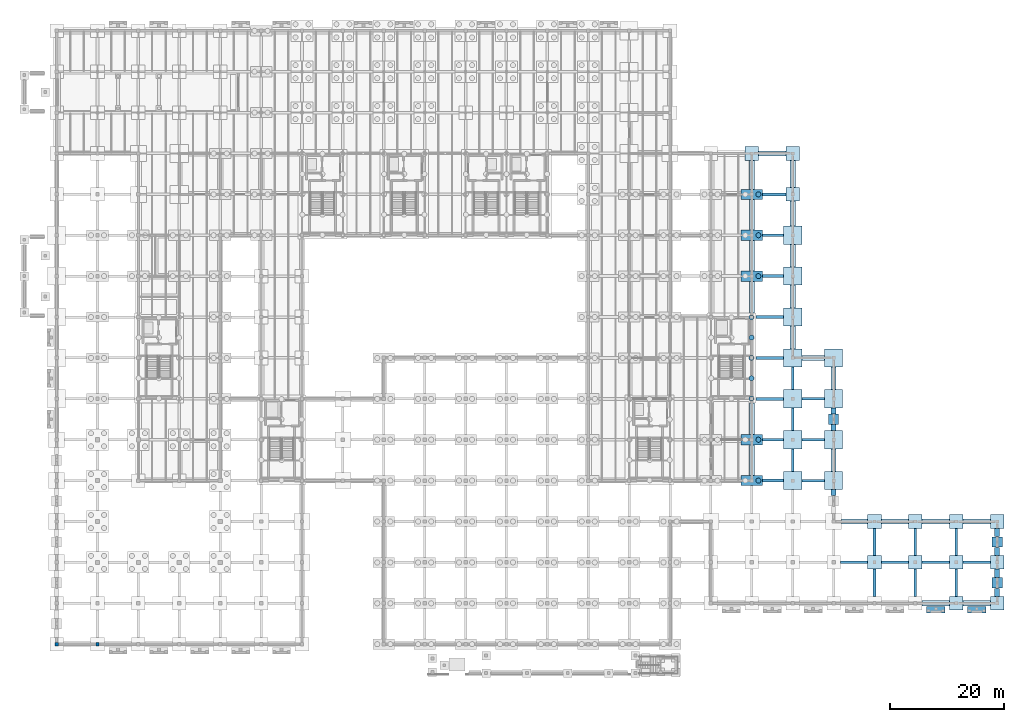
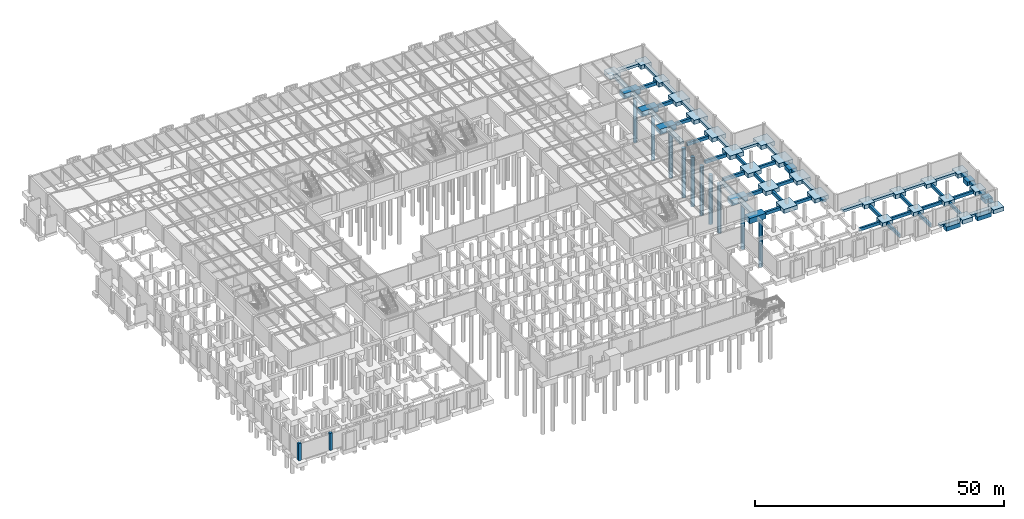
# One storey, part 10 of 46: 86 footings, 10 piles, 2 columns.
"""IFC4 building model written with IfcOpenShell, lengths in metres."""

from ifc_helpers import new_model, si_unit, direction, frame, origin, origin_2d, place, context, subcontext, project, spatial, rectangle, circle, extrude, material, material_profile, profile_set, type_object, element, save


model = new_model("IFC4")

# Units and contexts
model_context = context("Model", 3, precision=1e-05, world=origin(), true_north=direction((0.0, 1.0)))
body_context = subcontext(model_context, "Body", "Model", "MODEL_VIEW")
ifc_project = project(units=[si_unit("LENGTHUNIT", "METRE"), si_unit("AREAUNIT", "SQUARE_METRE"), si_unit("VOLUMEUNIT", "CUBIC_METRE"), si_unit("PLANEANGLEUNIT", "RADIAN"), si_unit("MASSUNIT", "GRAM", prefix="KILO")], contexts=[model_context])

# Site, building, storey
site_placement = place(None, origin())
site = spatial("IfcSite", under=ifc_project, at=site_placement, CompositionType="ELEMENT")
building_placement = place(site_placement, origin())
building = spatial("IfcBuilding", under=site, at=building_placement, Name="Sillqori Civic Hall", CompositionType="ELEMENT")
storey_placement = place(building_placement, frame((0.0, 0.0, -4.199951171875)))
storey = spatial("IfcBuildingStorey", under=building, at=storey_placement, Name="B01", CompositionType="ELEMENT", Elevation=-4.199951171875)

# Footings
ifc_material = material(Name="Concrete C35/45 (H35)", Category="concrete")
footing_type_1 = type_object("IfcFootingType", Name="FB-450X750", PredefinedType="FOOTING_BEAM", material=ifc_material)
footing_1_placement = place(storey_placement, frame((140.39990234375, 36.0, -0.969970703125), z_axis=(0.0, 0.0, 1.0), x_axis=(1.0, 0.0, 0.0)))
element("IfcFooting", 1, at=footing_1_placement, inside=storey, type_object=footing_type_1, Name="Seismic tie beam X 19-5", PredefinedType="FOOTING_BEAM", context=body_context, shape_type="SweptSolid", body=[
    extrude(rectangle(XDim=4.0, YDim=0.449951171875, at=origin_2d()), origin(), (0.0, 0.0, 1.0), 0.75),
])
footing_2_placement = place(storey_placement, frame((136.800048828125, 39.60009765625, -0.969970703125), z_axis=(0.0, 0.0, 1.0), x_axis=(1.0, 0.0, 0.0)))
element("IfcFooting", 2, at=footing_2_placement, inside=storey, type_object=footing_type_1, Name="Seismic tie beam Y 19-5", PredefinedType="FOOTING_BEAM", context=body_context, shape_type="SweptSolid", body=[
    extrude(rectangle(XDim=0.449951171875, YDim=4.0, at=origin_2d()), origin(), (0.0, 0.0, 1.0), 0.75),
])
footing_3_placement = place(storey_placement, frame((140.39990234375, 43.199951171875, -0.969970703125), z_axis=(0.0, 0.0, 1.0), x_axis=(1.0, 0.0, 0.0)))
element("IfcFooting", 3, at=footing_3_placement, inside=storey, type_object=footing_type_1, Name="Seismic tie beam X 19-6", PredefinedType="FOOTING_BEAM", context=body_context, shape_type="SweptSolid", body=[
    extrude(rectangle(XDim=4.0, YDim=0.449951171875, at=origin_2d()), origin(), (0.0, 0.0, 1.0), 0.75),
])
footing_4_placement = place(storey_placement, frame((136.800048828125, 46.800048828125, -0.969970703125), z_axis=(0.0, 0.0, 1.0), x_axis=(1.0, 0.0, 0.0)))
element("IfcFooting", 4, at=footing_4_placement, inside=storey, type_object=footing_type_1, Name="Seismic tie beam Y 19-6", PredefinedType="FOOTING_BEAM", context=body_context, shape_type="SweptSolid", body=[
    extrude(rectangle(XDim=0.449951171875, YDim=4.0, at=origin_2d()), origin(), (0.0, 0.0, 1.0), 0.75),
])
footing_5_placement = place(storey_placement, frame((140.39990234375, 50.39990234375, -0.969970703125), z_axis=(0.0, 0.0, 1.0), x_axis=(1.0, 0.0, 0.0)))
element("IfcFooting", 5, at=footing_5_placement, inside=storey, type_object=footing_type_1, Name="Seismic tie beam X 19-7", PredefinedType="FOOTING_BEAM", context=body_context, shape_type="SweptSolid", body=[
    extrude(rectangle(XDim=4.0, YDim=0.449951171875, at=origin_2d()), origin(), (0.0, 0.0, 1.0), 0.75),
])
footing_6_placement = place(storey_placement, frame((136.800048828125, 54.0, -0.969970703125), z_axis=(0.0, 0.0, 1.0), x_axis=(1.0, 0.0, 0.0)))
element("IfcFooting", 6, at=footing_6_placement, inside=storey, type_object=footing_type_1, Name="Seismic tie beam Y 19-7", PredefinedType="FOOTING_BEAM", context=body_context, shape_type="SweptSolid", body=[
    extrude(rectangle(XDim=0.449951171875, YDim=4.0, at=origin_2d()), origin(), (0.0, 0.0, 1.0), 0.75),
])
footing_7_placement = place(storey_placement, frame((147.60009765625, 21.60009765625, -0.969970703125), z_axis=(0.0, 0.0, 1.0), x_axis=(1.0, 0.0, 0.0)))
element("IfcFooting", 7, at=footing_7_placement, inside=storey, type_object=footing_type_1, Name="Seismic tie beam X 20-3", PredefinedType="FOOTING_BEAM", context=body_context, shape_type="SweptSolid", body=[
    extrude(rectangle(XDim=4.800048828125, YDim=0.449951171875, at=origin_2d()), origin(), (0.0, 0.0, 1.0), 0.75),
])
footing_8_placement = place(storey_placement, frame((151.199951171875, 18.0, -0.969970703125), z_axis=(0.0, 0.0, 1.0), x_axis=(1.0, 0.0, 0.0)))
element("IfcFooting", 8, at=footing_8_placement, inside=storey, type_object=footing_type_1, Name="Seismic tie beam Y 21-2", PredefinedType="FOOTING_BEAM", context=body_context, shape_type="SweptSolid", body=[
    extrude(rectangle(XDim=0.449951171875, YDim=4.800048828125, at=origin_2d()), origin(), (0.0, 0.0, 1.0), 0.75),
])
footing_9_placement = place(storey_placement, frame((154.800048828125, 21.60009765625, -0.969970703125), z_axis=(0.0, 0.0, 1.0), x_axis=(1.0, 0.0, 0.0)))
element("IfcFooting", 9, at=footing_9_placement, inside=storey, type_object=footing_type_1, Name="Seismic tie beam X 21-3", PredefinedType="FOOTING_BEAM", context=body_context, shape_type="SweptSolid", body=[
    extrude(rectangle(XDim=4.800048828125, YDim=0.449951171875, at=origin_2d()), origin(), (0.0, 0.0, 1.0), 0.75),
])
for number, where, z_axis, x_axis, name in (
    (10, (151.199951171875, 25.199951171875, -0.969970703125), (0.0, 0.0, 1.0), (1.0, 0.0, 0.0), "Seismic tie beam Y 21-3"),
    (11, (158.39990234375, 18.0, -0.969970703125), (0.0, 0.0, 1.0), (1.0, 0.0, 0.0), "Seismic tie beam Y 22-2"),
):
    element("IfcFooting", number, at=place(storey_placement, frame(where, z_axis=z_axis, x_axis=x_axis)), inside=storey, type_object=footing_type_1, Name=name, PredefinedType="FOOTING_BEAM", context=body_context, shape_type="SweptSolid", body=[
        extrude(rectangle(XDim=0.449951171875, YDim=4.800048828125, at=origin_2d()), origin(), (0.0, 0.0, 1.0), 0.75),
    ])
footing_10_placement = place(storey_placement, frame((162.0, 21.60009765625, -0.969970703125), z_axis=(0.0, 0.0, 1.0), x_axis=(1.0, 0.0, 0.0)))
element("IfcFooting", 12, at=footing_10_placement, inside=storey, type_object=footing_type_1, Name="Seismic tie beam X 22-3", PredefinedType="FOOTING_BEAM", context=body_context, shape_type="SweptSolid", body=[
    extrude(rectangle(XDim=4.800048828125, YDim=0.449951171875, at=origin_2d()), origin(), (0.0, 0.0, 1.0), 0.75),
])
for number, where, z_axis, x_axis, name in (
    (13, (158.39990234375, 25.199951171875, -0.969970703125), (0.0, 0.0, 1.0), (1.0, 0.0, 0.0), "Seismic tie beam Y 22-3"),
    (14, (165.60009765625, 18.0, -0.969970703125), (0.0, 0.0, 1.0), (1.0, 0.0, 0.0), "Seismic tie beam Y 23-2"),
):
    element("IfcFooting", number, at=place(storey_placement, frame(where, z_axis=z_axis, x_axis=x_axis)), inside=storey, type_object=footing_type_1, Name=name, PredefinedType="FOOTING_BEAM", context=body_context, shape_type="SweptSolid", body=[
        extrude(rectangle(XDim=0.449951171875, YDim=4.800048828125, at=origin_2d()), origin(), (0.0, 0.0, 1.0), 0.75),
    ])
footing_11_placement = place(storey_placement, frame((169.199951171875, 21.60009765625, -0.969970703125), z_axis=(0.0, 0.0, 1.0), x_axis=(1.0, 0.0, 0.0)))
element("IfcFooting", 15, at=footing_11_placement, inside=storey, type_object=footing_type_1, Name="Seismic tie beam X 23-3", PredefinedType="FOOTING_BEAM", context=body_context, shape_type="SweptSolid", body=[
    extrude(rectangle(XDim=4.800048828125, YDim=0.449951171875, at=origin_2d()), origin(), (0.0, 0.0, 1.0), 0.75),
])
footing_12_placement = place(storey_placement, frame((165.60009765625, 25.199951171875, -0.969970703125), z_axis=(0.0, 0.0, 1.0), x_axis=(1.0, 0.0, 0.0)))
element("IfcFooting", 16, at=footing_12_placement, inside=storey, type_object=footing_type_1, Name="Seismic tie beam Y 23-3", PredefinedType="FOOTING_BEAM", context=body_context, shape_type="SweptSolid", body=[
    extrude(rectangle(XDim=0.449951171875, YDim=4.800048828125, at=origin_2d()), origin(), (0.0, 0.0, 1.0), 0.75),
])
footing_type_2 = type_object("IfcFootingType", Name="FB-500X800", PredefinedType="FOOTING_BEAM", material=ifc_material)
for number, where, z_axis, x_axis, name in (
    (17, (133.35009765625, 36.0, -1.02001953125), (0.0, 0.0, 1.0), (1.0, 0.0, 0.0), "Seismic tie beam X 18-5"),
    (18, (133.35009765625, 43.199951171875, -1.02001953125), (0.0, 0.0, 1.0), (1.0, 0.0, 0.0), "Seismic tie beam X 18-6"),
):
    element("IfcFooting", number, at=place(storey_placement, frame(where, z_axis=z_axis, x_axis=x_axis)), inside=storey, type_object=footing_type_2, Name=name, PredefinedType="FOOTING_BEAM", context=body_context, shape_type="SweptSolid", body=[
        extrude(rectangle(XDim=3.699951171875, YDim=0.5, at=origin_2d()), origin(), (0.0, 0.0, 1.0), 0.800048828125),
    ])
for number, where, z_axis, x_axis, name in (
    (19, (132.75, 50.39990234375, -1.02001953125), (0.0, 0.0, 1.0), (1.0, 0.0, 0.0), "Seismic tie beam X 18-7"),
    (20, (132.75, 57.60009765625, -1.02001953125), (0.0, 0.0, 1.0), (1.0, 0.0, 0.0), "Seismic tie beam X 18-8"),
    (21, (132.75, 64.800048828125, -1.02001953125), (0.0, 0.0, 1.0), (1.0, 0.0, 0.0), "Seismic tie beam X 18-9"),
):
    element("IfcFooting", number, at=place(storey_placement, frame(where, z_axis=z_axis, x_axis=x_axis)), inside=storey, type_object=footing_type_2, Name=name, PredefinedType="FOOTING_BEAM", context=body_context, shape_type="SweptSolid", body=[
        extrude(rectangle(XDim=4.89990234375, YDim=0.5, at=origin_2d()), origin(), (0.0, 0.0, 1.0), 0.800048828125),
    ])
for number, where, z_axis, x_axis, name in (
    (22, (133.35009765625, 72.0, -1.02001953125), (0.0, 0.0, 1.0), (1.0, 0.0, 0.0), "Seismic tie beam X 18-10"),
    (23, (133.35009765625, 79.199951171875, -1.02001953125), (0.0, 0.0, 1.0), (1.0, 0.0, 0.0), "Seismic tie beam X 18-11"),
):
    element("IfcFooting", number, at=place(storey_placement, frame(where, z_axis=z_axis, x_axis=x_axis)), inside=storey, type_object=footing_type_2, Name=name, PredefinedType="FOOTING_BEAM", context=body_context, shape_type="SweptSolid", body=[
        extrude(rectangle(XDim=3.699951171875, YDim=0.5, at=origin_2d()), origin(), (0.0, 0.0, 1.0), 0.800048828125),
    ])
footing_13_placement = place(storey_placement, frame((133.550048828125, 86.39990234375, -1.02001953125), z_axis=(0.0, 0.0, 1.0), x_axis=(1.0, 0.0, 0.0)))
element("IfcFooting", 24, at=footing_13_placement, inside=storey, type_object=footing_type_2, Name="Seismic tie beam X 18-12", PredefinedType="FOOTING_BEAM", context=body_context, shape_type="SweptSolid", body=[
    extrude(rectangle(XDim=4.10009765625, YDim=0.5, at=origin_2d()), origin(), (0.0, 0.0, 1.0), 0.800048828125),
])
footing_type_3 = type_object("IfcFootingType", Name="PC-2P", PredefinedType="PILE_CAP", material=ifc_material)
for number, where, z_axis, x_axis, name in (
    (25, (129.60009765625, 36.0, -1.30029296875), (0.0, 0.0, 1.0), (1.0, 0.0, 0.0), "Pile cap 18-5"),
    (26, (129.60009765625, 43.199951171875, -1.30029296875), (0.0, 0.0, 1.0), (1.0, 0.0, 0.0), "Pile cap 18-6"),
    (27, (129.60009765625, 72.0, -1.30029296875), (0.0, 0.0, 1.0), (1.0, 0.0, 0.0), "Pile cap 18-10"),
    (28, (129.60009765625, 79.199951171875, -1.30029296875), (0.0, 0.0, 1.0), (1.0, 0.0, 0.0), "Pile cap 18-11"),
    (29, (129.60009765625, 86.39990234375, -1.30029296875), (0.0, 0.0, 1.0), (1.0, 0.0, 0.0), "Pile cap 18-12"),
):
    element("IfcFooting", number, at=place(storey_placement, frame(where, z_axis=z_axis, x_axis=x_axis)), inside=storey, type_object=footing_type_3, Name=name, PredefinedType="PILE_CAP", context=body_context, shape_type="SweptSolid", body=[
        extrude(rectangle(XDim=3.800048828125, YDim=1.800048828125, at=origin_2d()), origin(), (0.0, 0.0, 1.0), 1.300048828125),
    ])
footing_type_4 = type_object("IfcFootingType", Name="PF-1800", PredefinedType="PAD_FOOTING", material=ifc_material)
for number, where, z_axis, x_axis, name in (
    (30, (172.800048828125, 18.0, -1.0), (0.0, 0.0, 1.0), (1.0, 0.0, 0.0), "Pilaster pad footing 06"),
    (31, (172.800048828125, 25.199951171875, -1.0), (0.0, 0.0, 1.0), (1.0, 0.0, 0.0), "Pilaster pad footing 07"),
    (32, (144.0, 46.800048828125, -1.0), (0.0, 0.0, 1.0), (1.0, 0.0, 0.0), "Pilaster pad footing 09"),
):
    element("IfcFooting", number, at=place(storey_placement, frame(where, z_axis=z_axis, x_axis=x_axis)), inside=storey, type_object=footing_type_4, Name=name, PredefinedType="PAD_FOOTING", context=body_context, shape_type="SweptSolid", body=[
        extrude(rectangle(XDim=1.800048828125, YDim=1.800048828125, at=origin_2d()), origin(), (0.0, 0.0, 1.0), 1.0),
    ])
footing_type_5 = type_object("IfcFootingType", Name="PF-2400", PredefinedType="PAD_FOOTING", material=ifc_material)
for number, where, z_axis, x_axis, name in (
    (33, (129.60009765625, 93.60009765625, -1.0), (0.0, 0.0, 1.0), (1.0, 0.0, 0.0), "Spread footing 18-13"),
    (34, (136.800048828125, 86.39990234375, -1.0), (0.0, 0.0, 1.0), (1.0, 0.0, 0.0), "Spread footing 19-12"),
    (35, (136.800048828125, 93.60009765625, -1.0), (0.0, 0.0, 1.0), (1.0, 0.0, 0.0), "Spread footing 19-13"),
    (36, (151.199951171875, 21.60009765625, -1.0), (0.0, 0.0, 1.0), (1.0, 0.0, 0.0), "Spread footing 21-3"),
    (37, (151.199951171875, 28.800048828125, -1.0), (0.0, 0.0, 1.0), (1.0, 0.0, 0.0), "Spread footing 21-4"),
    (38, (158.39990234375, 21.60009765625, -1.0), (0.0, 0.0, 1.0), (1.0, 0.0, 0.0), "Spread footing 22-3"),
    (39, (158.39990234375, 28.800048828125, -1.0), (0.0, 0.0, 1.0), (1.0, 0.0, 0.0), "Spread footing 22-4"),
    (40, (165.60009765625, 14.39990234375, -1.0), (0.0, 0.0, 1.0), (1.0, 0.0, 0.0), "Spread footing 23-2"),
    (41, (165.60009765625, 21.60009765625, -1.0), (0.0, 0.0, 1.0), (1.0, 0.0, 0.0), "Spread footing 23-3"),
    (42, (165.60009765625, 28.800048828125, -1.0), (0.0, 0.0, 1.0), (1.0, 0.0, 0.0), "Spread footing 23-4"),
    (43, (172.800048828125, 14.39990234375, -1.0), (0.0, 0.0, 1.0), (1.0, 0.0, 0.0), "Spread footing 24-2"),
    (44, (172.800048828125, 21.60009765625, -1.0), (0.0, 0.0, 1.0), (1.0, 0.0, 0.0), "Spread footing 24-3"),
    (45, (172.800048828125, 28.800048828125, -1.0), (0.0, 0.0, 1.0), (1.0, 0.0, 0.0), "Spread footing 24-4"),
):
    element("IfcFooting", number, at=place(storey_placement, frame(where, z_axis=z_axis, x_axis=x_axis)), inside=storey, type_object=footing_type_5, Name=name, PredefinedType="PAD_FOOTING", context=body_context, shape_type="SweptSolid", body=[
        extrude(rectangle(XDim=2.39990234375, YDim=2.39990234375, at=origin_2d()), origin(), (0.0, 0.0, 1.0), 1.0),
    ])
footing_type_6 = type_object("IfcFootingType", Name="PF-3200", PredefinedType="PAD_FOOTING", material=ifc_material)
for number, where, z_axis, x_axis, name in (
    (46, (136.800048828125, 36.0, -1.0), (0.0, 0.0, 1.0), (1.0, 0.0, 0.0), "Spread footing 19-5"),
    (47, (136.800048828125, 43.199951171875, -1.0), (0.0, 0.0, 1.0), (1.0, 0.0, 0.0), "Spread footing 19-6"),
    (48, (136.800048828125, 50.39990234375, -1.0), (0.0, 0.0, 1.0), (1.0, 0.0, 0.0), "Spread footing 19-7"),
    (49, (136.800048828125, 57.60009765625, -1.0), (0.0, 0.0, 1.0), (1.0, 0.0, 0.0), "Spread footing 19-8"),
    (50, (136.800048828125, 64.800048828125, -1.0), (0.0, 0.0, 1.0), (1.0, 0.0, 0.0), "Spread footing 19-9"),
    (51, (136.800048828125, 72.0, -1.0), (0.0, 0.0, 1.0), (1.0, 0.0, 0.0), "Spread footing 19-10"),
    (52, (136.800048828125, 79.199951171875, -1.0), (0.0, 0.0, 1.0), (1.0, 0.0, 0.0), "Spread footing 19-11"),
    (53, (144.0, 36.0, -1.0), (0.0, 0.0, 1.0), (1.0, 0.0, 0.0), "Spread footing 20-5"),
    (54, (144.0, 43.199951171875, -1.0), (0.0, 0.0, 1.0), (1.0, 0.0, 0.0), "Spread footing 20-6"),
    (55, (144.0, 50.39990234375, -1.0), (0.0, 0.0, 1.0), (1.0, 0.0, 0.0), "Spread footing 20-7"),
    (56, (144.0, 57.60009765625, -1.0), (0.0, 0.0, 1.0), (1.0, 0.0, 0.0), "Spread footing 20-8"),
):
    element("IfcFooting", number, at=place(storey_placement, frame(where, z_axis=z_axis, x_axis=x_axis)), inside=storey, type_object=footing_type_6, Name=name, PredefinedType="PAD_FOOTING", context=body_context, shape_type="SweptSolid", body=[
        extrude(rectangle(XDim=3.199951171875, YDim=3.199951171875, at=origin_2d()), origin(), (0.0, 0.0, 1.0), 1.0),
    ])

# Piles
ifc_material_profile_1 = material_profile(ifc_material, circle(Radius=0.449951171875, at=origin_2d()), Name="BORED PILE 900")
ifc_profile_set_1 = profile_set([ifc_material_profile_1], Name="Concrete C35/45 (H35)")
pile_type = type_object("IfcPileType", Name="PILE-BORED-900", PredefinedType="BORED", material=ifc_profile_set_1)
for number, where, z_axis, x_axis, name in (
    (57, (129.550048828125, 50.449951171875, -1.199951171875), (0.0, 0.0, -1.0), (1.0, 0.0, 0.0), "Bored pile FTG-CAP-C2-11"),
    (58, (129.550048828125, 54.02490234375, -1.199951171875), (0.0, 0.0, -1.0), (1.0, 0.0, 0.0), "Bored pile FTG-CAP-C2-12"),
    (59, (129.550048828125, 57.60009765625, -1.199951171875), (0.0, 0.0, -1.0), (1.0, 0.0, 0.0), "Bored pile FTG-CAP-C2-13"),
    (60, (129.550048828125, 61.175048828125, -1.199951171875), (0.0, 0.0, -1.0), (1.0, 0.0, 0.0), "Bored pile FTG-CAP-C2-14"),
    (61, (129.550048828125, 64.75, -1.199951171875), (0.0, 0.0, -1.0), (1.0, 0.0, 0.0), "Bored pile FTG-CAP-C2-15"),
    (62, (130.75, 36.0, -1.199951171875), (0.0, 0.0, -1.0), (1.0, 0.0, 0.0), "Bored pile FTG-PC-18-05-02"),
    (63, (130.75, 43.199951171875, -1.199951171875), (0.0, 0.0, -1.0), (1.0, 0.0, 0.0), "Bored pile FTG-PC-18-06-02"),
    (64, (130.75, 72.0, -1.199951171875), (0.0, 0.0, -1.0), (1.0, 0.0, 0.0), "Bored pile FTG-PC-18-10-02"),
    (65, (130.75, 79.199951171875, -1.199951171875), (0.0, 0.0, -1.0), (1.0, 0.0, 0.0), "Bored pile FTG-PC-18-11-02"),
    (66, (130.75, 86.39990234375, -1.199951171875), (0.0, 0.0, -1.0), (1.0, 0.0, 0.0), "Bored pile FTG-PC-18-12-02"),
):
    element("IfcPile", number, at=place(storey_placement, frame(where, z_axis=z_axis, x_axis=x_axis)), inside=storey, type_object=pile_type, Name=name, PredefinedType="BORED", context=body_context, shape_type="SweptSolid", body=[
        extrude(circle(Radius=0.449951171875, at=origin_2d()), origin(), (0.0, 0.0, 1.0), 12.10009765625),
    ])

# Footings
footing_type_7 = type_object("IfcFootingType", Name="SF-1100X650", PredefinedType="STRIP_FOOTING", material=ifc_material)
for number, where, z_axis, x_axis, name in (
    (67, (162.0, 13.25, -1.0), (0.0, 0.0, 1.0), (1.0, 0.0, 0.0), "Library Archive Garden Portal stoop mat footing"),
    (68, (169.199951171875, 13.25, -1.0), (0.0, 0.0, 1.0), (1.0, 0.0, 0.0), "Library Pavilion Far East Exit stoop mat footing"),
):
    element("IfcFooting", number, at=place(storey_placement, frame(where, z_axis=z_axis, x_axis=x_axis)), inside=storey, type_object=footing_type_7, Name=name, PredefinedType="STRIP_FOOTING", context=body_context, shape_type="SweptSolid", body=[
        extrude(rectangle(XDim=3.239990234375, YDim=1.1201171875, at=origin_2d()), origin(), (0.0, 0.0, 1.0), 1.0),
    ])
footing_type_8 = type_object("IfcFootingType", Name="SF-900X600", PredefinedType="STRIP_FOOTING", material=ifc_material)
footing_14_placement = place(storey_placement, frame((129.60009765625, 39.60009765625, -0.820068359375), z_axis=(0.0, 0.0, 1.0), x_axis=(1.0, 0.0, 0.0)))
element("IfcFooting", 69, at=footing_14_placement, inside=storey, type_object=footing_type_8, Name="Perimeter strip footing E 17-5", PredefinedType="STRIP_FOOTING", context=body_context, shape_type="SweptSolid", body=[
    extrude(rectangle(XDim=0.89990234375, YDim=5.39990234375, at=origin_2d()), origin(), (0.0, 0.0, 1.0), 0.60009765625),
])
for number, where, z_axis, x_axis, name in (
    (70, (129.60009765625, 46.89990234375, -0.820068359375), (0.0, 0.0, 1.0), (1.0, 0.0, 0.0), "Perimeter strip footing E 17-6"),
    (71, (129.60009765625, 68.300048828125, -0.820068359375), (0.0, 0.0, 1.0), (1.0, 0.0, 0.0), "Perimeter strip footing E 17-9"),
):
    element("IfcFooting", number, at=place(storey_placement, frame(where, z_axis=z_axis, x_axis=x_axis)), inside=storey, type_object=footing_type_8, Name=name, PredefinedType="STRIP_FOOTING", context=body_context, shape_type="SweptSolid", body=[
        extrude(rectangle(XDim=0.89990234375, YDim=5.60009765625, at=origin_2d()), origin(), (0.0, 0.0, 1.0), 0.60009765625),
    ])
for number, where, z_axis, x_axis, name in (
    (72, (129.60009765625, 75.60009765625, -0.820068359375), (0.0, 0.0, 1.0), (1.0, 0.0, 0.0), "Perimeter strip footing E 17-10"),
    (73, (129.60009765625, 82.800048828125, -0.820068359375), (0.0, 0.0, 1.0), (1.0, 0.0, 0.0), "Perimeter strip footing E 17-11"),
):
    element("IfcFooting", number, at=place(storey_placement, frame(where, z_axis=z_axis, x_axis=x_axis)), inside=storey, type_object=footing_type_8, Name=name, PredefinedType="STRIP_FOOTING", context=body_context, shape_type="SweptSolid", body=[
        extrude(rectangle(XDim=0.89990234375, YDim=5.39990234375, at=origin_2d()), origin(), (0.0, 0.0, 1.0), 0.60009765625),
    ])
footing_15_placement = place(storey_placement, frame((129.60009765625, 89.85009765625, -0.820068359375), z_axis=(0.0, 0.0, 1.0), x_axis=(1.0, 0.0, 0.0)))
element("IfcFooting", 74, at=footing_15_placement, inside=storey, type_object=footing_type_8, Name="Perimeter strip footing E 17-12", PredefinedType="STRIP_FOOTING", context=body_context, shape_type="SweptSolid", body=[
    extrude(rectangle(XDim=0.89990234375, YDim=5.10009765625, at=origin_2d()), origin(), (0.0, 0.0, 1.0), 0.60009765625),
])
for number, where, z_axis, x_axis, name in (
    (75, (136.800048828125, 61.199951171875, -0.60009765625), (0.0, 0.0, 1.0), (1.0, 0.0, 0.0), "Podium plinth strip footing E 18-8"),
    (76, (136.800048828125, 68.39990234375, -0.60009765625), (0.0, 0.0, 1.0), (1.0, 0.0, 0.0), "Podium plinth strip footing E 18-9"),
    (77, (136.800048828125, 75.60009765625, -0.60009765625), (0.0, 0.0, 1.0), (1.0, 0.0, 0.0), "Podium plinth strip footing E 18-10"),
):
    element("IfcFooting", number, at=place(storey_placement, frame(where, z_axis=z_axis, x_axis=x_axis)), inside=storey, type_object=footing_type_8, Name=name, PredefinedType="STRIP_FOOTING", context=body_context, shape_type="SweptSolid", body=[
        extrude(rectangle(XDim=0.89990234375, YDim=4.0, at=origin_2d()), origin(), (0.0, 0.0, 1.0), 0.60009765625),
    ])
footing_16_placement = place(storey_placement, frame((136.800048828125, 83.0, -0.60009765625), z_axis=(0.0, 0.0, 1.0), x_axis=(1.0, 0.0, 0.0)))
element("IfcFooting", 78, at=footing_16_placement, inside=storey, type_object=footing_type_8, Name="Podium plinth strip footing E 18-11", PredefinedType="STRIP_FOOTING", context=body_context, shape_type="SweptSolid", body=[
    extrude(rectangle(XDim=0.89990234375, YDim=4.39990234375, at=origin_2d()), origin(), (0.0, 0.0, 1.0), 0.60009765625),
])
footing_17_placement = place(storey_placement, frame((133.199951171875, 93.60009765625, -0.60009765625), z_axis=(0.0, 0.0, 1.0), x_axis=(1.0, 0.0, 0.0)))
element("IfcFooting", 79, at=footing_17_placement, inside=storey, type_object=footing_type_8, Name="Podium plinth strip footing N 18-12", PredefinedType="STRIP_FOOTING", context=body_context, shape_type="SweptSolid", body=[
    extrude(rectangle(XDim=4.800048828125, YDim=0.89990234375, at=origin_2d()), origin(), (0.0, 0.0, 1.0), 0.60009765625),
])
footing_18_placement = place(storey_placement, frame((136.800048828125, 90.0, -0.60009765625), z_axis=(0.0, 0.0, 1.0), x_axis=(1.0, 0.0, 0.0)))
element("IfcFooting", 80, at=footing_18_placement, inside=storey, type_object=footing_type_8, Name="Podium plinth strip footing E 18-12", PredefinedType="STRIP_FOOTING", context=body_context, shape_type="SweptSolid", body=[
    extrude(rectangle(XDim=0.89990234375, YDim=4.800048828125, at=origin_2d()), origin(), (0.0, 0.0, 1.0), 0.60009765625),
])
footing_19_placement = place(storey_placement, frame((144.0, 33.8798828125, -0.60009765625), z_axis=(0.0, 0.0, 1.0), x_axis=(1.0, 0.0, 0.0)))
element("IfcFooting", 81, at=footing_19_placement, inside=storey, type_object=footing_type_8, Name="Podium plinth strip footing E 19-4.2", PredefinedType="STRIP_FOOTING", context=body_context, shape_type="SweptSolid", body=[
    extrude(rectangle(XDim=0.89990234375, YDim=1.0400390625, at=origin_2d()), origin(), (0.0, 0.0, 1.0), 0.60009765625),
])
footing_20_placement = place(storey_placement, frame((144.0, 39.60009765625, -0.60009765625), z_axis=(0.0, 0.0, 1.0), x_axis=(1.0, 0.0, 0.0)))
element("IfcFooting", 82, at=footing_20_placement, inside=storey, type_object=footing_type_8, Name="Podium plinth strip footing E 19-5", PredefinedType="STRIP_FOOTING", context=body_context, shape_type="SweptSolid", body=[
    extrude(rectangle(XDim=0.89990234375, YDim=4.0, at=origin_2d()), origin(), (0.0, 0.0, 1.0), 0.60009765625),
])
for number, where, z_axis, x_axis, name in (
    (83, (144.0, 45.320068359375, -0.60009765625), (0.0, 0.0, 1.0), (1.0, 0.0, 0.0), "Podium plinth strip footing E 19-6.1"),
    (84, (144.0, 48.280029296875, -0.60009765625), (0.0, 0.0, 1.0), (1.0, 0.0, 0.0), "Podium plinth strip footing E 19-6.2"),
):
    element("IfcFooting", number, at=place(storey_placement, frame(where, z_axis=z_axis, x_axis=x_axis)), inside=storey, type_object=footing_type_8, Name=name, PredefinedType="STRIP_FOOTING", context=body_context, shape_type="SweptSolid", body=[
        extrude(rectangle(XDim=0.89990234375, YDim=1.0400390625, at=origin_2d()), origin(), (0.0, 0.0, 1.0), 0.60009765625),
    ])
footing_21_placement = place(storey_placement, frame((140.39990234375, 57.60009765625, -0.60009765625), z_axis=(0.0, 0.0, 1.0), x_axis=(1.0, 0.0, 0.0)))
element("IfcFooting", 85, at=footing_21_placement, inside=storey, type_object=footing_type_8, Name="Podium plinth strip footing N 19-7", PredefinedType="STRIP_FOOTING", context=body_context, shape_type="SweptSolid", body=[
    extrude(rectangle(XDim=4.0, YDim=0.89990234375, at=origin_2d()), origin(), (0.0, 0.0, 1.0), 0.60009765625),
])
footing_22_placement = place(storey_placement, frame((144.0, 54.0, -0.60009765625), z_axis=(0.0, 0.0, 1.0), x_axis=(1.0, 0.0, 0.0)))
element("IfcFooting", 86, at=footing_22_placement, inside=storey, type_object=footing_type_8, Name="Podium plinth strip footing E 19-7", PredefinedType="STRIP_FOOTING", context=body_context, shape_type="SweptSolid", body=[
    extrude(rectangle(XDim=0.89990234375, YDim=4.0, at=origin_2d()), origin(), (0.0, 0.0, 1.0), 0.60009765625),
])
footing_23_placement = place(storey_placement, frame((147.699951171875, 28.800048828125, -0.60009765625), z_axis=(0.0, 0.0, 1.0), x_axis=(1.0, 0.0, 0.0)))
element("IfcFooting", 87, at=footing_23_placement, inside=storey, type_object=footing_type_8, Name="Podium plinth strip footing N 20-3", PredefinedType="STRIP_FOOTING", context=body_context, shape_type="SweptSolid", body=[
    extrude(rectangle(XDim=4.60009765625, YDim=0.89990234375, at=origin_2d()), origin(), (0.0, 0.0, 1.0), 0.60009765625),
])
for number, where, z_axis, x_axis, name in (
    (88, (154.800048828125, 28.800048828125, -0.60009765625), (0.0, 0.0, 1.0), (1.0, 0.0, 0.0), "Podium plinth strip footing N 21-3"),
    (89, (162.0, 14.39990234375, -0.60009765625), (0.0, 0.0, 1.0), (1.0, 0.0, 0.0), "Podium plinth strip footing S 22-2"),
    (90, (162.0, 28.800048828125, -0.60009765625), (0.0, 0.0, 1.0), (1.0, 0.0, 0.0), "Podium plinth strip footing N 22-3"),
    (91, (169.199951171875, 14.39990234375, -0.60009765625), (0.0, 0.0, 1.0), (1.0, 0.0, 0.0), "Podium plinth strip footing S 23-2"),
):
    element("IfcFooting", number, at=place(storey_placement, frame(where, z_axis=z_axis, x_axis=x_axis)), inside=storey, type_object=footing_type_8, Name=name, PredefinedType="STRIP_FOOTING", context=body_context, shape_type="SweptSolid", body=[
        extrude(rectangle(XDim=4.800048828125, YDim=0.89990234375, at=origin_2d()), origin(), (0.0, 0.0, 1.0), 0.60009765625),
    ])
for number, where, z_axis, x_axis, name in (
    (92, (172.800048828125, 16.320068359375, -0.60009765625), (0.0, 0.0, 1.0), (1.0, 0.0, 0.0), "Podium plinth strip footing E 23-2.1"),
    (93, (172.800048828125, 19.679931640625, -0.60009765625), (0.0, 0.0, 1.0), (1.0, 0.0, 0.0), "Podium plinth strip footing E 23-2.2"),
):
    element("IfcFooting", number, at=place(storey_placement, frame(where, z_axis=z_axis, x_axis=x_axis)), inside=storey, type_object=footing_type_8, Name=name, PredefinedType="STRIP_FOOTING", context=body_context, shape_type="SweptSolid", body=[
        extrude(rectangle(XDim=0.89990234375, YDim=1.43994140625, at=origin_2d()), origin(), (0.0, 0.0, 1.0), 0.60009765625),
    ])
footing_24_placement = place(storey_placement, frame((169.199951171875, 28.800048828125, -0.60009765625), z_axis=(0.0, 0.0, 1.0), x_axis=(1.0, 0.0, 0.0)))
element("IfcFooting", 94, at=footing_24_placement, inside=storey, type_object=footing_type_8, Name="Podium plinth strip footing N 23-3", PredefinedType="STRIP_FOOTING", context=body_context, shape_type="SweptSolid", body=[
    extrude(rectangle(XDim=4.800048828125, YDim=0.89990234375, at=origin_2d()), origin(), (0.0, 0.0, 1.0), 0.60009765625),
])
for number, where, z_axis, x_axis, name in (
    (95, (172.800048828125, 23.52001953125, -0.60009765625), (0.0, 0.0, 1.0), (1.0, 0.0, 0.0), "Podium plinth strip footing E 23-3.1"),
    (96, (172.800048828125, 26.8798828125, -0.60009765625), (0.0, 0.0, 1.0), (1.0, 0.0, 0.0), "Podium plinth strip footing E 23-3.2"),
):
    element("IfcFooting", number, at=place(storey_placement, frame(where, z_axis=z_axis, x_axis=x_axis)), inside=storey, type_object=footing_type_8, Name=name, PredefinedType="STRIP_FOOTING", context=body_context, shape_type="SweptSolid", body=[
        extrude(rectangle(XDim=0.89990234375, YDim=1.43994140625, at=origin_2d()), origin(), (0.0, 0.0, 1.0), 0.60009765625),
    ])

# Columns
ifc_material_profile_2 = material_profile(ifc_material, rectangle(XDim=0.60009765625, YDim=0.60009765625, at=origin_2d()), Name="RC 600x600")
ifc_profile_set_2 = profile_set([ifc_material_profile_2], Name="Concrete C35/45 (H35)")
column_type = type_object("IfcColumnType", Name="COL-RC600", PredefinedType="COLUMN", material=ifc_profile_set_2)
for number, where, z_axis, x_axis, name in (
    (97, (7.199951171875, 7.199951171875, 0.0), (0.0, 0.0, 1.0), (1.0, 0.0, 0.0), "B01 column 1-1"),
    (98, (14.39990234375, 7.199951171875, 0.0), (0.0, 0.0, 1.0), (1.0, 0.0, 0.0), "B01 column 2-1"),
):
    element("IfcColumn", number, at=place(storey_placement, frame(where, z_axis=z_axis, x_axis=x_axis)), inside=storey, type_object=column_type, Name=name, PredefinedType="COLUMN", context=body_context, shape_type="SweptSolid", body=[
        extrude(rectangle(XDim=0.60009765625, YDim=0.60009765625, at=origin_2d()), origin(), (0.0, 0.0, 1.0), 4.199951171875),
    ])

save(model, "model.ifc")
